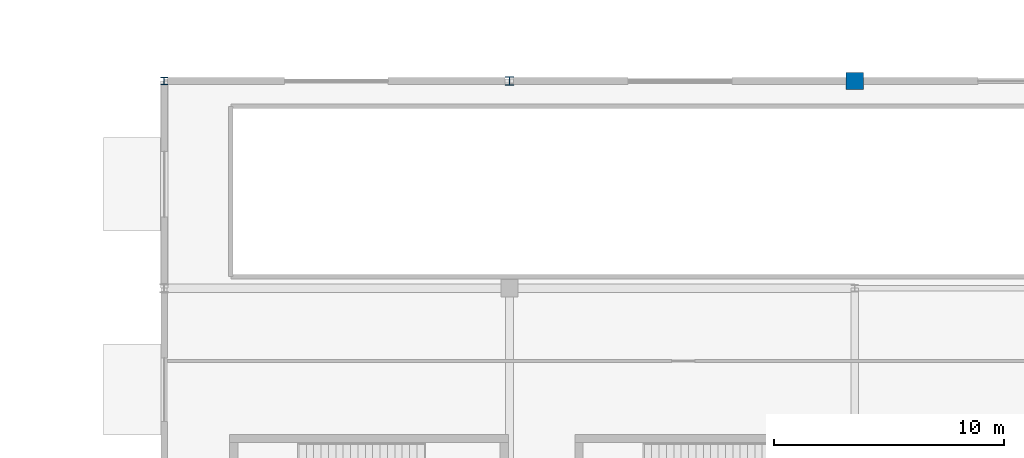
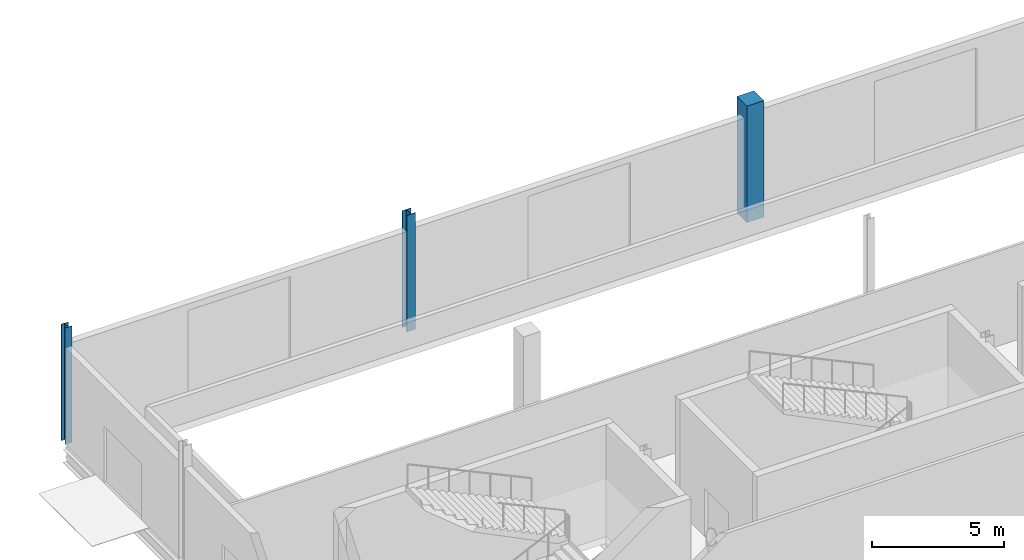
# One storey, part 24 of 94: 3 columns.
"""IFC4 building model written with IfcOpenShell, lengths in metres."""

import ifcopenshell
import ifcopenshell.guid

model = None  # the IFC model being written
_history = None  # IfcOwnerHistory: only IFC2X3 demands one
_inside = {}  # id of a spatial element -> (the spatial element, [elements in it])
_under = {}  # id of a project, library or spatial element -> (it, [spatial elements below it])
_declared = {}  # id of a project -> (the project, [libraries it declares])
_typed = {}  # id of a type object -> (the type object, [elements of that type])
_made_of = {}  # id of a material, layer set ... -> (it, [elements and type objects made of it])


def new_model(schema):
    """Start an empty IFC model of exactly this schema.

    Asked for "IFC4X3", IfcOpenShell would pick the latest addendum, in which some entities
    have other attributes; the version numbers below select the first issue.
    IFC2X3 requires an IfcOwnerHistory on every rooted entity: one is made here for all.
    """
    global model, _history
    if schema == "IFC4X3":
        model = ifcopenshell.file(schema_version=(4, 3, 0, 0))
    else:
        model = ifcopenshell.file(schema=schema)
    _inside.clear()
    _under.clear()
    _declared.clear()
    _typed.clear()
    _made_of.clear()
    _history = None
    if model.schema == "IFC2X3":
        org = make("IfcOrganization", Name="unknown")
        user = make(
            "IfcPersonAndOrganization",
            ThePerson=make("IfcPerson", FamilyName="unknown"),
            TheOrganization=org,
        )
        app = make(
            "IfcApplication",
            ApplicationDeveloper=org,
            Version="unknown",
            ApplicationFullName="unknown",
            ApplicationIdentifier="unknown",
        )
        _history = make(
            "IfcOwnerHistory",
            OwningUser=user,
            OwningApplication=app,
            ChangeAction="ADDED",
            CreationDate=0,
        )
    return model


def make(cls, **values):
    """One entity of the class cls with the attributes given. An attribute that is None is left unset."""
    return model.create_entity(
        cls, **{name: value for name, value in values.items() if value is not None}
    )


def rooted(cls, **values):
    """An entity with a GlobalId (a new one), such as an element, a storey or a relation."""
    return make(cls, GlobalId=ifcopenshell.guid.new(), OwnerHistory=_history, **values)


def si_unit(unit_type, name, prefix=None):
    """IfcSIUnit, for example si_unit("LENGTHUNIT", "METRE", prefix="MILLI")."""
    return make("IfcSIUnit", UnitType=unit_type, Prefix=prefix, Name=name)


def assignment(units):
    """IfcUnitAssignment: the units of a project."""
    return None if units is None else make("IfcUnitAssignment", Units=units)


def point(xyz):
    """IfcCartesianPoint."""
    return None if xyz is None else make("IfcCartesianPoint", Coordinates=xyz)


def direction(xyz):
    """IfcDirection."""
    return None if xyz is None else make("IfcDirection", DirectionRatios=xyz)


def frame(location, z_axis=None, x_axis=None):
    """IfcAxis2Placement3D, a coordinate frame: its origin and axes. An axis left out is left unset."""
    return make(
        "IfcAxis2Placement3D",
        Location=point(location),
        Axis=direction(z_axis),
        RefDirection=direction(x_axis),
    )


def frame_2d(location, x_axis=None):
    """IfcAxis2Placement2D, a coordinate frame in the plane: its origin and x axis."""
    return make(
        "IfcAxis2Placement2D", Location=point(location), RefDirection=direction(x_axis)
    )


def origin():
    """The frame at (0, 0, 0) with its axes left unset."""
    return frame((0.0, 0.0, 0.0))


def origin_2d():
    """The frame at (0, 0) in the plane with its x axis left unset."""
    return frame_2d((0.0, 0.0))


def place(relative_to, where):
    """IfcLocalPlacement: puts the frame where relative to a parent placement (None: the world)."""
    return make(
        "IfcLocalPlacement", PlacementRelTo=relative_to, RelativePlacement=where
    )


def context(
    kind, dimensions, precision=None, world=None, true_north=None, identifier=None
):
    """IfcGeometricRepresentationContext, for example the 3D "Model" context."""
    return make(
        "IfcGeometricRepresentationContext",
        ContextIdentifier=identifier,
        ContextType=kind,
        CoordinateSpaceDimension=dimensions,
        Precision=precision,
        WorldCoordinateSystem=world,
        TrueNorth=true_north,
    )


def subcontext(parent, identifier, kind, view, scale=None):
    """IfcGeometricRepresentationSubContext, for example "Body" below "Model"."""
    return make(
        "IfcGeometricRepresentationSubContext",
        ContextIdentifier=identifier,
        ContextType=kind,
        ParentContext=parent,
        TargetScale=scale,
        TargetView=view,
    )


def project(units=None, contexts=None):
    """IfcProject with its units and contexts."""
    return rooted(
        "IfcProject",
        Name="project",
        RepresentationContexts=contexts,
        UnitsInContext=assignment(units),
    )


def spatial(cls, under=None, at=None, **own):
    """A site, building, storey or space (cls), placed at a placement, below another one or the project."""
    s = rooted(cls, ObjectPlacement=at, **own)
    if under is not None:
        _under.setdefault(under.id(), (under, []))[1].append(s)
    return s


def profile(cls, at=None, kind="AREA", **sizes):
    """A parametric profile (cls). Its sizes go by their IFC names, for example OverallWidth=200.0."""
    return make(cls, ProfileType=kind, Position=at, **sizes)


def rectangle(**sizes):
    """IfcRectangleProfileDef."""
    return profile("IfcRectangleProfileDef", **sizes)


def i_section(**sizes):
    """IfcIShapeProfileDef."""
    return profile("IfcIShapeProfileDef", **sizes)


def extrude(swept, where, along, depth):
    """IfcExtrudedAreaSolid: the profile swept, set in the frame where, extruded along a direction by depth."""
    return make(
        "IfcExtrudedAreaSolid",
        SweptArea=swept,
        Position=where,
        ExtrudedDirection=direction(along),
        Depth=depth,
    )


def shape(context_of_items, identifier, shape_type, items):
    """IfcShapeRepresentation: the items that make up one representation, for example the "Body"."""
    return make(
        "IfcShapeRepresentation",
        ContextOfItems=context_of_items,
        RepresentationIdentifier=identifier,
        RepresentationType=shape_type,
        Items=items,
    )


def material(Name=None, Category=None):
    """IfcMaterial."""
    return make("IfcMaterial", Name=Name, Category=Category)


def material_profile(
    of_material, cross_section, Name=None, Category=None, Priority=None
):
    """IfcMaterialProfile: a cross section and its material."""
    return make(
        "IfcMaterialProfile",
        Name=Name,
        Material=of_material,
        Profile=cross_section,
        Priority=Priority,
        Category=Category,
    )


def profile_set(profiles, Name=None, composite=None):
    """IfcMaterialProfileSet."""
    return make(
        "IfcMaterialProfileSet",
        Name=Name,
        MaterialProfiles=profiles,
        CompositeProfile=composite,
    )


def made_of(thing, what):
    """Note that an element or type object is made of a material, layer set ...; save() writes the relation."""
    if what is not None:
        _made_of.setdefault(what.id(), (what, []))[1].append(thing)
    return thing


def type_object(cls, material=None, **own):
    """A type object (cls), such as IfcWallType, which elements share."""
    return made_of(rooted(cls, **own), material)


def element(
    cls,
    number,
    at=None,
    inside=None,
    cuts=None,
    type_object=None,
    material=None,
    context=None,
    identifier="Body",
    shape_type=None,
    held_by="IfcProductDefinitionShape",
    body=None,
    shapes=None,
    **own,
):
    """One element of the class cls, such as IfcWall. Its Tag is "e" and its number.

    at: its placement. inside: the storey or other place that contains it. cuts: it is an
    opening in that element (IfcRelVoidsElement). A single representation is given by context,
    identifier, shape_type and body (its items); several are given by shapes. held_by: the class
    of the entity that holds the representations. save() writes the other relations.
    """
    e = rooted(cls, Tag="e%d" % number, ObjectPlacement=at, **own)
    if body is not None:
        shapes = [shape(context, identifier, shape_type, body)]
    if shapes is not None:
        e.Representation = make(held_by, Representations=shapes)
    if inside is not None:
        _inside.setdefault(inside.id(), (inside, []))[1].append(e)
    if cuts is not None:
        rooted(
            "IfcRelVoidsElement", RelatingBuildingElement=cuts, RelatedOpeningElement=e
        )
    if type_object is not None:
        _typed.setdefault(type_object.id(), (type_object, []))[1].append(e)
    return made_of(e, material)


def aggregate(whole, parts):
    """IfcRelAggregates: a whole, such as a stair, and the parts it consists of."""
    return rooted("IfcRelAggregates", RelatingObject=whole, RelatedObjects=parts)


def save(model, path):
    """Write the relations noted so far, then the file.

    IfcRelAggregates (storeys below a building ...), IfcRelContainedInSpatialStructure (elements
    in a storey), IfcRelDefinesByType, IfcRelAssociatesMaterial and IfcRelDeclares: one each for
    every whole, place, type object, material and project.
    """
    for whole, parts in _under.values():
        aggregate(whole, parts)
    for where, things in _inside.values():
        rooted(
            "IfcRelContainedInSpatialStructure",
            RelatedElements=things,
            RelatingStructure=where,
        )
    for kind, things in _typed.values():
        rooted("IfcRelDefinesByType", RelatedObjects=things, RelatingType=kind)
    for what, things in _made_of.values():
        rooted("IfcRelAssociatesMaterial", RelatedObjects=things, RelatingMaterial=what)
    for by, libraries in _declared.values():
        rooted("IfcRelDeclares", RelatingContext=by, RelatedDefinitions=libraries)
    model.write(path)


model = new_model("IFC4")

# Units and contexts
model_context = context("Model", 3, precision=1e-05, world=origin(), true_north=direction((0.0, 1.0)))
body_context = subcontext(model_context, "Body", "Model", "MODEL_VIEW")
ifc_project = project(units=[si_unit("LENGTHUNIT", "METRE"), si_unit("AREAUNIT", "SQUARE_METRE"), si_unit("VOLUMEUNIT", "CUBIC_METRE"), si_unit("PLANEANGLEUNIT", "RADIAN"), si_unit("MASSUNIT", "GRAM", prefix="KILO")], contexts=[model_context])

# Site, building, storey
site_placement = place(None, origin())
site = spatial("IfcSite", under=ifc_project, at=site_placement, CompositionType="ELEMENT")
building_placement = place(site_placement, origin())
building = spatial("IfcBuilding", under=site, at=building_placement, Name="Qamarlyn Nura Convention Centre", CompositionType="ELEMENT")
storey_placement = place(building_placement, origin())
storey = spatial("IfcBuildingStorey", under=building, at=storey_placement, Name="L00", CompositionType="ELEMENT", Elevation=0.0)

# Columns
ifc_material_1 = material(Name="Concrete C50/60", Category="concrete")
ifc_material_profile_1 = material_profile(ifc_material_1, rectangle(XDim=0.75, YDim=0.75, at=origin_2d()), Name="RC 750x750")
ifc_profile_set_1 = profile_set([ifc_material_profile_1], Name="Concrete C50/60")
column_type_1 = type_object("IfcColumnType", Name="COL-SUB-2", PredefinedType="COLUMN", material=ifc_profile_set_1)
column_1_placement = place(storey_placement, frame((45.0, 126.0, 0.0), z_axis=(0.0, 0.0, 1.0), x_axis=(1.0, 0.0, 0.0)))
element("IfcColumn", 1, at=column_1_placement, inside=storey, type_object=column_type_1, Name="L00 column 4/Q", PredefinedType="COLUMN", context=body_context, shape_type="SweptSolid", body=[
    extrude(rectangle(XDim=0.75, YDim=0.75, at=origin_2d()), origin(), (0.0, 0.0, 1.0), 5.39990234375),
])
ifc_material_2 = material(Name="Steel ASTM A992", Category="steel")
ifc_material_profile_2 = material_profile(ifc_material_2, i_section(OverallWidth=0.3740234375, OverallDepth=0.3720703125, WebThickness=0.016357421875, FlangeThickness=0.026123046875, FilletRadius=0.01611328125, at=origin_2d()), Name="W360X196")
ifc_profile_set_2 = profile_set([ifc_material_profile_2], Name="Steel ASTM A992")
column_type_2 = type_object("IfcColumnType", Name="COL-WING-2", PredefinedType="COLUMN", material=ifc_profile_set_2)
column_2_placement = place(storey_placement, frame((30.0, 126.0, 0.0), z_axis=(0.0, 0.0, 1.0), x_axis=(1.0, 0.0, 0.0)))
element("IfcColumn", 2, at=column_2_placement, inside=storey, type_object=column_type_2, Name="L00 column 3/Q", PredefinedType="COLUMN", context=body_context, shape_type="SweptSolid", body=[
    extrude(i_section(OverallWidth=0.3740234375, OverallDepth=0.3720703125, WebThickness=0.016357421875, FlangeThickness=0.026123046875, FilletRadius=0.01611328125, at=origin_2d()), origin(), (0.0, 0.0, 1.0), 5.39990234375),
])
ifc_material_profile_3 = material_profile(ifc_material_2, i_section(OverallWidth=0.304931640625, OverallDepth=0.30810546875, WebThickness=0.010009765625, FlangeThickness=0.015380859375, FilletRadius=0.014892578125, at=origin_2d()), Name="W310X97")
ifc_profile_set_3 = profile_set([ifc_material_profile_3], Name="Steel ASTM A992")
column_type_3 = type_object("IfcColumnType", Name="COL-WING-4", PredefinedType="COLUMN", material=ifc_profile_set_3)
column_3_placement = place(storey_placement, frame((15.0, 126.0, 0.0), z_axis=(0.0, 0.0, 1.0), x_axis=(1.0, 0.0, 0.0)))
element("IfcColumn", 3, at=column_3_placement, inside=storey, type_object=column_type_3, Name="L00 column 2/Q", PredefinedType="COLUMN", context=body_context, shape_type="SweptSolid", body=[
    extrude(i_section(OverallWidth=0.304931640625, OverallDepth=0.30810546875, WebThickness=0.010009765625, FlangeThickness=0.015380859375, FilletRadius=0.014892578125, at=origin_2d()), origin(), (0.0, 0.0, 1.0), 5.39990234375),
])

save(model, "model.ifc")
